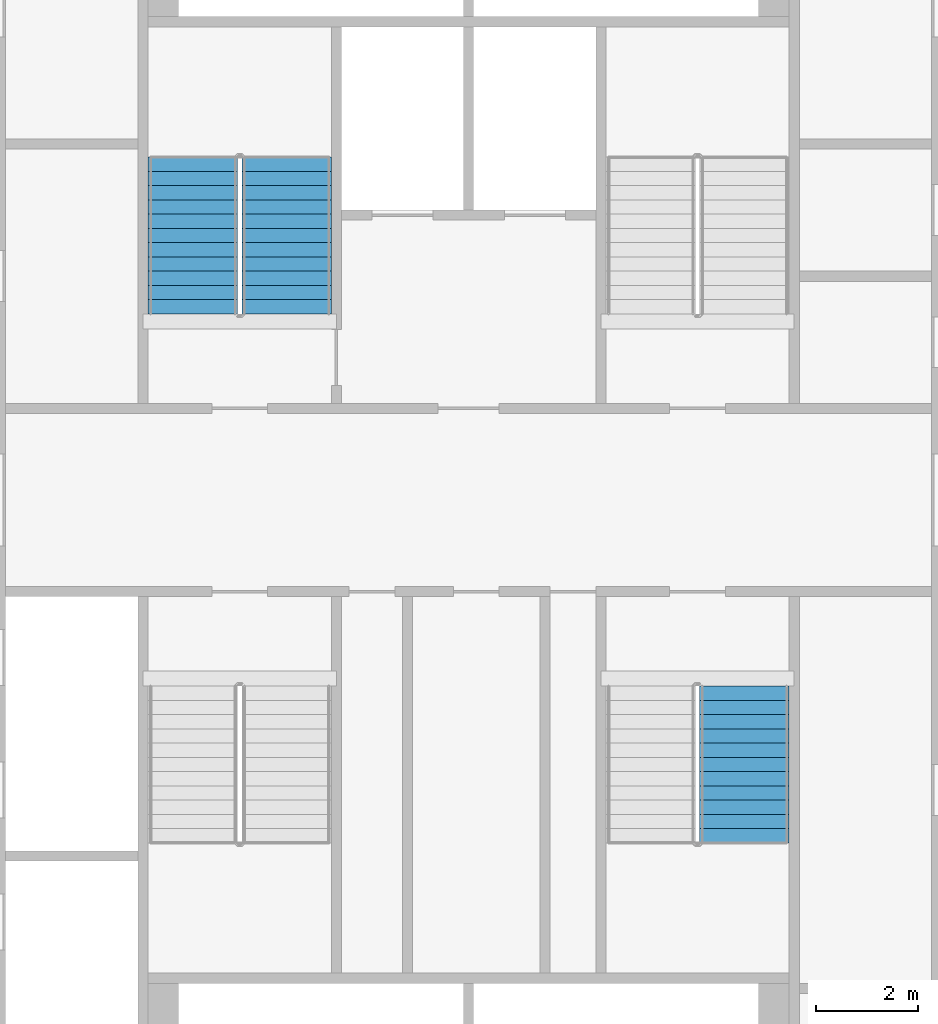
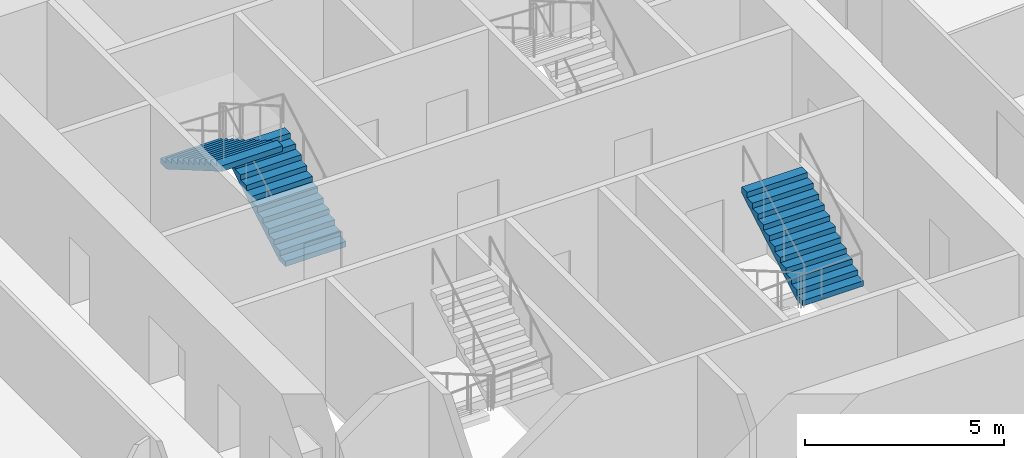
# One storey, part 16 of 22: 3 stair flights, 2 elements without a shape of their own.
"""IFC4 building model written with IfcOpenShell, lengths in metres."""

from ifc_helpers import new_model, si_unit, direction, frame, origin, place, context, subcontext, project, spatial, faceted_brep, material, type_object, element, aggregate, save


model = new_model("IFC4")

# Units and contexts
model_context = context("Model", 3, precision=1e-05, world=origin(), true_north=direction((0.0, 1.0)))
body_context = subcontext(model_context, "Body", "Model", "MODEL_VIEW")
ifc_project = project(units=[si_unit("LENGTHUNIT", "METRE"), si_unit("AREAUNIT", "SQUARE_METRE"), si_unit("VOLUMEUNIT", "CUBIC_METRE"), si_unit("PLANEANGLEUNIT", "RADIAN"), si_unit("MASSUNIT", "GRAM", prefix="KILO")], contexts=[model_context])

# Site, building, storey
site_placement = place(None, origin())
site = spatial("IfcSite", under=ifc_project, at=site_placement, CompositionType="ELEMENT")
building_placement = place(site_placement, origin())
building = spatial("IfcBuilding", under=site, at=building_placement, Name="Tarsis Ring Headquarters", CompositionType="ELEMENT")
storey_placement = place(building_placement, frame((0.0, 0.0, 55.60009765625)))
storey = spatial("IfcBuildingStorey", under=building, at=storey_placement, Name="L11", CompositionType="ELEMENT", Elevation=55.60009765625)

# Stair, stair flights
ifc_material_1 = material(Name="Core stair 1760")
stair_type = type_object("IfcStairType", Name="Core stair 1760", PredefinedType="HALF_TURN_STAIR", material=ifc_material_1)
stair_1_placement = place(storey_placement, origin())
stair_1 = element("IfcStair", 1, at=stair_1_placement, inside=storey, type_object=stair_type, Name="L11 Firefighting stair", PredefinedType="HALF_TURN_STAIR")
ifc_material_2 = material(Name="Concrete C40/50", Category="concrete")
stair_flight_type = type_object("IfcStairFlightType", Name="Core stair flight 1760", PredefinedType="STRAIGHT", material=ifc_material_2)
stair_flight_1_placement = place(storey_placement, frame((-3.580078125, 3.659912109375, 0.0), z_axis=(0.0, 0.0, 1.0), x_axis=(0.0, 1.0, 0.0)))
stair_flight_1 = element("IfcStairFlight", 2, at=stair_flight_1_placement, type_object=stair_flight_type, Name="Stair ST1 flight 1", NumberOfRisers=12, NumberOfTreads=11, PredefinedType="STRAIGHT", RiserHeight=0.1625, TreadLength=0.28, context=body_context, shape_type="Brep", body=[
    faceted_brep([(0.0, 0.8798828125, 0.0), (0.0, 0.8798828125, 0.16259765625), (0.280029296875, 0.8798828125, 0.16259765625), (0.280029296875, 0.8798828125, 0.324951171875), (0.56005859375, 0.8798828125, 0.324951171875), (0.56005859375, 0.8798828125, 0.487548828125), (0.840087890625, 0.8798828125, 0.487548828125), (0.840087890625, 0.8798828125, 0.64990234375), (1.1201171875, 0.8798828125, 0.64990234375), (1.1201171875, 0.8798828125, 0.8125), (1.39990234375, 0.8798828125, 0.8125), (1.39990234375, 0.8798828125, 0.97509765625), (1.679931640625, 0.8798828125, 0.97509765625), (1.679931640625, 0.8798828125, 1.137451171875), (1.9599609375, 0.8798828125, 1.137451171875), (1.9599609375, 0.8798828125, 1.300048828125), (2.239990234375, 0.8798828125, 1.300048828125), (2.239990234375, 0.8798828125, 1.46240234375), (2.52001953125, 0.8798828125, 1.46240234375), (2.52001953125, 0.8798828125, 1.625), (2.800048828125, 0.8798828125, 1.625), (2.800048828125, 0.8798828125, 1.78759765625), (3.080078125, 0.8798828125, 1.78759765625), (3.080078125, 0.8798828125, 1.6142578125), (0.298583984375, 0.8798828125, 0.0), (0.298583984375, -0.8798828125, 0.0), (3.080078125, -0.8798828125, 1.6142578125), (3.080078125, -0.8798828125, 1.78759765625), (2.800048828125, -0.8798828125, 1.78759765625), (2.800048828125, -0.8798828125, 1.625), (2.52001953125, -0.8798828125, 1.625), (2.52001953125, -0.8798828125, 1.46240234375), (2.239990234375, -0.8798828125, 1.46240234375), (2.239990234375, -0.8798828125, 1.300048828125), (1.9599609375, -0.8798828125, 1.300048828125), (1.9599609375, -0.8798828125, 1.137451171875), (1.679931640625, -0.8798828125, 1.137451171875), (1.679931640625, -0.8798828125, 0.97509765625), (1.39990234375, -0.8798828125, 0.97509765625), (1.39990234375, -0.8798828125, 0.8125), (1.1201171875, -0.8798828125, 0.8125), (1.1201171875, -0.8798828125, 0.64990234375), (0.840087890625, -0.8798828125, 0.64990234375), (0.840087890625, -0.8798828125, 0.487548828125), (0.56005859375, -0.8798828125, 0.487548828125), (0.56005859375, -0.8798828125, 0.324951171875), (0.280029296875, -0.8798828125, 0.324951171875), (0.280029296875, -0.8798828125, 0.16259765625), (0.0, -0.8798828125, 0.16259765625), (0.0, -0.8798828125, 0.0), (0.0, -0.43994140625, 0.16259765625), (0.0, -0.43994140625, 0.0), (0.0, 0.0, 0.16259765625), (0.0, 0.0, 0.0), (0.0, 0.43994140625, 0.16259765625), (0.0, 0.43994140625, 0.0), (0.280029296875, -0.43994140625, 0.16259765625), (0.280029296875, 0.0, 0.16259765625), (0.280029296875, 0.43994140625, 0.16259765625), (0.280029296875, -0.43994140625, 0.324951171875), (0.280029296875, 0.0, 0.324951171875), (0.280029296875, 0.43994140625, 0.324951171875), (0.56005859375, -0.43994140625, 0.324951171875), (0.56005859375, 0.0, 0.324951171875), (0.56005859375, 0.43994140625, 0.324951171875), (0.56005859375, -0.43994140625, 0.487548828125), (0.56005859375, 0.0, 0.487548828125), (0.56005859375, 0.43994140625, 0.487548828125), (0.840087890625, -0.43994140625, 0.487548828125), (0.840087890625, 0.0, 0.487548828125), (0.840087890625, 0.43994140625, 0.487548828125), (0.840087890625, -0.43994140625, 0.64990234375), (0.840087890625, 0.0, 0.64990234375), (0.840087890625, 0.43994140625, 0.64990234375), (1.1201171875, -0.43994140625, 0.64990234375), (1.1201171875, 0.0, 0.64990234375), (1.1201171875, 0.43994140625, 0.64990234375), (1.1201171875, -0.43994140625, 0.8125), (1.1201171875, 0.0, 0.8125), (1.1201171875, 0.43994140625, 0.8125), (1.39990234375, -0.43994140625, 0.8125), (1.39990234375, 0.0, 0.8125), (1.39990234375, 0.43994140625, 0.8125), (1.39990234375, -0.43994140625, 0.97509765625), (1.39990234375, 0.0, 0.97509765625), (1.39990234375, 0.43994140625, 0.97509765625), (1.679931640625, -0.43994140625, 0.97509765625), (1.679931640625, 0.0, 0.97509765625), (1.679931640625, 0.43994140625, 0.97509765625), (1.679931640625, -0.43994140625, 1.137451171875), (1.679931640625, 0.0, 1.137451171875), (1.679931640625, 0.43994140625, 1.137451171875), (1.9599609375, -0.43994140625, 1.137451171875), (1.9599609375, 0.0, 1.137451171875), (1.9599609375, 0.43994140625, 1.137451171875), (1.9599609375, -0.43994140625, 1.300048828125), (1.9599609375, 0.0, 1.300048828125), (1.9599609375, 0.43994140625, 1.300048828125), (2.239990234375, -0.43994140625, 1.300048828125), (2.239990234375, 0.0, 1.300048828125), (2.239990234375, 0.43994140625, 1.300048828125), (2.239990234375, -0.43994140625, 1.46240234375), (2.239990234375, 0.0, 1.46240234375), (2.239990234375, 0.43994140625, 1.46240234375), (2.52001953125, -0.43994140625, 1.46240234375), (2.52001953125, 0.0, 1.46240234375), (2.52001953125, 0.43994140625, 1.46240234375), (2.52001953125, -0.43994140625, 1.625), (2.52001953125, 0.0, 1.625), (2.52001953125, 0.43994140625, 1.625), (2.800048828125, -0.43994140625, 1.625), (2.800048828125, 0.0, 1.625), (2.800048828125, 0.43994140625, 1.625), (2.800048828125, -0.43994140625, 1.78759765625), (2.800048828125, 0.0, 1.78759765625), (2.800048828125, 0.43994140625, 1.78759765625), (3.080078125, -0.43994140625, 1.78759765625), (3.080078125, 0.0, 1.78759765625), (3.080078125, 0.43994140625, 1.78759765625), (3.080078125, -0.43994140625, 1.6142578125), (3.080078125, 0.0, 1.6142578125), (3.080078125, 0.43994140625, 1.6142578125), (0.298583984375, -0.43994140625, 0.0), (0.298583984375, 0.0, 0.0), (0.298583984375, 0.43994140625, 0.0)], [[[0, 1, 2, 3, 4, 5, 6, 7, 8, 9, 10, 11, 12, 13, 14, 15, 16, 17, 18, 19, 20, 21, 22, 23, 24]], [[25, 26, 27, 28, 29, 30, 31, 32, 33, 34, 35, 36, 37, 38, 39, 40, 41, 42, 43, 44, 45, 46, 47, 48, 49]], [[49, 48, 50, 51]], [[51, 50, 52, 53]], [[53, 52, 54, 55]], [[55, 54, 1, 0]], [[48, 47, 56, 50]], [[50, 56, 57, 52]], [[52, 57, 58, 54]], [[54, 58, 2, 1]], [[47, 46, 59, 56]], [[56, 59, 60, 57]], [[57, 60, 61, 58]], [[58, 61, 3, 2]], [[46, 45, 62, 59]], [[59, 62, 63, 60]], [[60, 63, 64, 61]], [[61, 64, 4, 3]], [[45, 44, 65, 62]], [[62, 65, 66, 63]], [[63, 66, 67, 64]], [[64, 67, 5, 4]], [[44, 43, 68, 65]], [[65, 68, 69, 66]], [[66, 69, 70, 67]], [[67, 70, 6, 5]], [[43, 42, 71, 68]], [[68, 71, 72, 69]], [[69, 72, 73, 70]], [[70, 73, 7, 6]], [[42, 41, 74, 71]], [[71, 74, 75, 72]], [[72, 75, 76, 73]], [[73, 76, 8, 7]], [[41, 40, 77, 74]], [[74, 77, 78, 75]], [[75, 78, 79, 76]], [[76, 79, 9, 8]], [[40, 39, 80, 77]], [[77, 80, 81, 78]], [[78, 81, 82, 79]], [[79, 82, 10, 9]], [[39, 38, 83, 80]], [[80, 83, 84, 81]], [[81, 84, 85, 82]], [[82, 85, 11, 10]], [[38, 37, 86, 83]], [[83, 86, 87, 84]], [[84, 87, 88, 85]], [[85, 88, 12, 11]], [[37, 36, 89, 86]], [[86, 89, 90, 87]], [[87, 90, 91, 88]], [[88, 91, 13, 12]], [[36, 35, 92, 89]], [[89, 92, 93, 90]], [[90, 93, 94, 91]], [[91, 94, 14, 13]], [[35, 34, 95, 92]], [[92, 95, 96, 93]], [[93, 96, 97, 94]], [[94, 97, 15, 14]], [[34, 33, 98, 95]], [[95, 98, 99, 96]], [[96, 99, 100, 97]], [[97, 100, 16, 15]], [[33, 32, 101, 98]], [[98, 101, 102, 99]], [[99, 102, 103, 100]], [[100, 103, 17, 16]], [[32, 31, 104, 101]], [[101, 104, 105, 102]], [[102, 105, 106, 103]], [[103, 106, 18, 17]], [[31, 30, 107, 104]], [[104, 107, 108, 105]], [[105, 108, 109, 106]], [[106, 109, 19, 18]], [[30, 29, 110, 107]], [[107, 110, 111, 108]], [[108, 111, 112, 109]], [[109, 112, 20, 19]], [[29, 28, 113, 110]], [[110, 113, 114, 111]], [[111, 114, 115, 112]], [[112, 115, 21, 20]], [[28, 27, 116, 113]], [[113, 116, 117, 114]], [[114, 117, 118, 115]], [[115, 118, 22, 21]], [[27, 26, 119, 116]], [[116, 119, 120, 117]], [[117, 120, 121, 118]], [[118, 121, 23, 22]], [[26, 25, 122, 119]], [[119, 122, 123, 120]], [[120, 123, 124, 121]], [[121, 124, 24, 23]], [[25, 49, 51, 122]], [[122, 51, 53, 123]], [[123, 53, 55, 124]], [[124, 55, 0, 24]]]),
])
stair_flight_2_placement = place(storey_placement, frame((-5.419921875, 6.739990234375, 1.949951171875), z_axis=(0.0, 0.0, 1.0), x_axis=(0.0, -1.0, 0.0)))
stair_flight_2 = element("IfcStairFlight", 3, at=stair_flight_2_placement, type_object=stair_flight_type, Name="Stair ST1 flight 2", NumberOfRisers=12, NumberOfTreads=11, PredefinedType="STRAIGHT", RiserHeight=0.1625, TreadLength=0.28, context=body_context, shape_type="Brep", body=[
    faceted_brep([(0.0, 0.8798828125, 0.0), (0.0, 0.8798828125, 0.16259765625), (0.280029296875, 0.8798828125, 0.16259765625), (0.280029296875, 0.8798828125, 0.324951171875), (0.56005859375, 0.8798828125, 0.324951171875), (0.56005859375, 0.8798828125, 0.487548828125), (0.840087890625, 0.8798828125, 0.487548828125), (0.840087890625, 0.8798828125, 0.64990234375), (1.1201171875, 0.8798828125, 0.64990234375), (1.1201171875, 0.8798828125, 0.8125), (1.39990234375, 0.8798828125, 0.8125), (1.39990234375, 0.8798828125, 0.97509765625), (1.679931640625, 0.8798828125, 0.97509765625), (1.679931640625, 0.8798828125, 1.137451171875), (1.9599609375, 0.8798828125, 1.137451171875), (1.9599609375, 0.8798828125, 1.300048828125), (2.239990234375, 0.8798828125, 1.300048828125), (2.239990234375, 0.8798828125, 1.46240234375), (2.52001953125, 0.8798828125, 1.46240234375), (2.52001953125, 0.8798828125, 1.625), (2.800048828125, 0.8798828125, 1.625), (2.800048828125, 0.8798828125, 1.78759765625), (3.080078125, 0.8798828125, 1.78759765625), (3.080078125, 0.8798828125, 1.6142578125), (0.298583984375, 0.8798828125, 0.0), (0.298583984375, -0.8798828125, 0.0), (3.080078125, -0.8798828125, 1.6142578125), (3.080078125, -0.8798828125, 1.78759765625), (2.800048828125, -0.8798828125, 1.78759765625), (2.800048828125, -0.8798828125, 1.625), (2.52001953125, -0.8798828125, 1.625), (2.52001953125, -0.8798828125, 1.46240234375), (2.239990234375, -0.8798828125, 1.46240234375), (2.239990234375, -0.8798828125, 1.300048828125), (1.9599609375, -0.8798828125, 1.300048828125), (1.9599609375, -0.8798828125, 1.137451171875), (1.679931640625, -0.8798828125, 1.137451171875), (1.679931640625, -0.8798828125, 0.97509765625), (1.39990234375, -0.8798828125, 0.97509765625), (1.39990234375, -0.8798828125, 0.8125), (1.1201171875, -0.8798828125, 0.8125), (1.1201171875, -0.8798828125, 0.64990234375), (0.840087890625, -0.8798828125, 0.64990234375), (0.840087890625, -0.8798828125, 0.487548828125), (0.56005859375, -0.8798828125, 0.487548828125), (0.56005859375, -0.8798828125, 0.324951171875), (0.280029296875, -0.8798828125, 0.324951171875), (0.280029296875, -0.8798828125, 0.16259765625), (0.0, -0.8798828125, 0.16259765625), (0.0, -0.8798828125, 0.0), (0.0, -0.43994140625, 0.16259765625), (0.0, -0.43994140625, 0.0), (0.0, 0.0, 0.16259765625), (0.0, 0.0, 0.0), (0.0, 0.43994140625, 0.16259765625), (0.0, 0.43994140625, 0.0), (0.280029296875, -0.43994140625, 0.16259765625), (0.280029296875, 0.0, 0.16259765625), (0.280029296875, 0.43994140625, 0.16259765625), (0.280029296875, -0.43994140625, 0.324951171875), (0.280029296875, 0.0, 0.324951171875), (0.280029296875, 0.43994140625, 0.324951171875), (0.56005859375, -0.43994140625, 0.324951171875), (0.56005859375, 0.0, 0.324951171875), (0.56005859375, 0.43994140625, 0.324951171875), (0.56005859375, -0.43994140625, 0.487548828125), (0.56005859375, 0.0, 0.487548828125), (0.56005859375, 0.43994140625, 0.487548828125), (0.840087890625, -0.43994140625, 0.487548828125), (0.840087890625, 0.0, 0.487548828125), (0.840087890625, 0.43994140625, 0.487548828125), (0.840087890625, -0.43994140625, 0.64990234375), (0.840087890625, 0.0, 0.64990234375), (0.840087890625, 0.43994140625, 0.64990234375), (1.1201171875, -0.43994140625, 0.64990234375), (1.1201171875, 0.0, 0.64990234375), (1.1201171875, 0.43994140625, 0.64990234375), (1.1201171875, -0.43994140625, 0.8125), (1.1201171875, 0.0, 0.8125), (1.1201171875, 0.43994140625, 0.8125), (1.39990234375, -0.43994140625, 0.8125), (1.39990234375, 0.0, 0.8125), (1.39990234375, 0.43994140625, 0.8125), (1.39990234375, -0.43994140625, 0.97509765625), (1.39990234375, 0.0, 0.97509765625), (1.39990234375, 0.43994140625, 0.97509765625), (1.679931640625, -0.43994140625, 0.97509765625), (1.679931640625, 0.0, 0.97509765625), (1.679931640625, 0.43994140625, 0.97509765625), (1.679931640625, -0.43994140625, 1.137451171875), (1.679931640625, 0.0, 1.137451171875), (1.679931640625, 0.43994140625, 1.137451171875), (1.9599609375, -0.43994140625, 1.137451171875), (1.9599609375, 0.0, 1.137451171875), (1.9599609375, 0.43994140625, 1.137451171875), (1.9599609375, -0.43994140625, 1.300048828125), (1.9599609375, 0.0, 1.300048828125), (1.9599609375, 0.43994140625, 1.300048828125), (2.239990234375, -0.43994140625, 1.300048828125), (2.239990234375, 0.0, 1.300048828125), (2.239990234375, 0.43994140625, 1.300048828125), (2.239990234375, -0.43994140625, 1.46240234375), (2.239990234375, 0.0, 1.46240234375), (2.239990234375, 0.43994140625, 1.46240234375), (2.52001953125, -0.43994140625, 1.46240234375), (2.52001953125, 0.0, 1.46240234375), (2.52001953125, 0.43994140625, 1.46240234375), (2.52001953125, -0.43994140625, 1.625), (2.52001953125, 0.0, 1.625), (2.52001953125, 0.43994140625, 1.625), (2.800048828125, -0.43994140625, 1.625), (2.800048828125, 0.0, 1.625), (2.800048828125, 0.43994140625, 1.625), (2.800048828125, -0.43994140625, 1.78759765625), (2.800048828125, 0.0, 1.78759765625), (2.800048828125, 0.43994140625, 1.78759765625), (3.080078125, -0.43994140625, 1.78759765625), (3.080078125, 0.0, 1.78759765625), (3.080078125, 0.43994140625, 1.78759765625), (3.080078125, -0.43994140625, 1.6142578125), (3.080078125, 0.0, 1.6142578125), (3.080078125, 0.43994140625, 1.6142578125), (0.298583984375, -0.43994140625, 0.0), (0.298583984375, 0.0, 0.0), (0.298583984375, 0.43994140625, 0.0)], [[[0, 1, 2, 3, 4, 5, 6, 7, 8, 9, 10, 11, 12, 13, 14, 15, 16, 17, 18, 19, 20, 21, 22, 23, 24]], [[25, 26, 27, 28, 29, 30, 31, 32, 33, 34, 35, 36, 37, 38, 39, 40, 41, 42, 43, 44, 45, 46, 47, 48, 49]], [[49, 48, 50, 51]], [[51, 50, 52, 53]], [[53, 52, 54, 55]], [[55, 54, 1, 0]], [[48, 47, 56, 50]], [[50, 56, 57, 52]], [[52, 57, 58, 54]], [[54, 58, 2, 1]], [[47, 46, 59, 56]], [[56, 59, 60, 57]], [[57, 60, 61, 58]], [[58, 61, 3, 2]], [[46, 45, 62, 59]], [[59, 62, 63, 60]], [[60, 63, 64, 61]], [[61, 64, 4, 3]], [[45, 44, 65, 62]], [[62, 65, 66, 63]], [[63, 66, 67, 64]], [[64, 67, 5, 4]], [[44, 43, 68, 65]], [[65, 68, 69, 66]], [[66, 69, 70, 67]], [[67, 70, 6, 5]], [[43, 42, 71, 68]], [[68, 71, 72, 69]], [[69, 72, 73, 70]], [[70, 73, 7, 6]], [[42, 41, 74, 71]], [[71, 74, 75, 72]], [[72, 75, 76, 73]], [[73, 76, 8, 7]], [[41, 40, 77, 74]], [[74, 77, 78, 75]], [[75, 78, 79, 76]], [[76, 79, 9, 8]], [[40, 39, 80, 77]], [[77, 80, 81, 78]], [[78, 81, 82, 79]], [[79, 82, 10, 9]], [[39, 38, 83, 80]], [[80, 83, 84, 81]], [[81, 84, 85, 82]], [[82, 85, 11, 10]], [[38, 37, 86, 83]], [[83, 86, 87, 84]], [[84, 87, 88, 85]], [[85, 88, 12, 11]], [[37, 36, 89, 86]], [[86, 89, 90, 87]], [[87, 90, 91, 88]], [[88, 91, 13, 12]], [[36, 35, 92, 89]], [[89, 92, 93, 90]], [[90, 93, 94, 91]], [[91, 94, 14, 13]], [[35, 34, 95, 92]], [[92, 95, 96, 93]], [[93, 96, 97, 94]], [[94, 97, 15, 14]], [[34, 33, 98, 95]], [[95, 98, 99, 96]], [[96, 99, 100, 97]], [[97, 100, 16, 15]], [[33, 32, 101, 98]], [[98, 101, 102, 99]], [[99, 102, 103, 100]], [[100, 103, 17, 16]], [[32, 31, 104, 101]], [[101, 104, 105, 102]], [[102, 105, 106, 103]], [[103, 106, 18, 17]], [[31, 30, 107, 104]], [[104, 107, 108, 105]], [[105, 108, 109, 106]], [[106, 109, 19, 18]], [[30, 29, 110, 107]], [[107, 110, 111, 108]], [[108, 111, 112, 109]], [[109, 112, 20, 19]], [[29, 28, 113, 110]], [[110, 113, 114, 111]], [[111, 114, 115, 112]], [[112, 115, 21, 20]], [[28, 27, 116, 113]], [[113, 116, 117, 114]], [[114, 117, 118, 115]], [[115, 118, 22, 21]], [[27, 26, 119, 116]], [[116, 119, 120, 117]], [[117, 120, 121, 118]], [[118, 121, 23, 22]], [[26, 25, 122, 119]], [[119, 122, 123, 120]], [[120, 123, 124, 121]], [[121, 124, 24, 23]], [[25, 49, 51, 122]], [[122, 51, 53, 123]], [[123, 53, 55, 124]], [[124, 55, 0, 24]]]),
])
aggregate(stair_1, [stair_flight_1, stair_flight_2])

# Stair, stair flight
stair_2_placement = place(storey_placement, origin())
stair_2 = element("IfcStair", 4, at=stair_2_placement, inside=storey, type_object=stair_type, Name="L11 Exit stair D", PredefinedType="HALF_TURN_STAIR")
stair_flight_3_placement = place(storey_placement, frame((5.419921875, -6.739990234375, 1.949951171875), z_axis=(0.0, 0.0, 1.0), x_axis=(0.0, 1.0, 0.0)))
stair_flight_3 = element("IfcStairFlight", 5, at=stair_flight_3_placement, type_object=stair_flight_type, Name="Stair ST4 flight 2", NumberOfRisers=12, NumberOfTreads=11, PredefinedType="STRAIGHT", RiserHeight=0.1625, TreadLength=0.28, context=body_context, shape_type="Brep", body=[
    faceted_brep([(0.0, 0.8798828125, 0.0), (0.0, 0.8798828125, 0.16259765625), (0.280029296875, 0.8798828125, 0.16259765625), (0.280029296875, 0.8798828125, 0.324951171875), (0.56005859375, 0.8798828125, 0.324951171875), (0.56005859375, 0.8798828125, 0.487548828125), (0.840087890625, 0.8798828125, 0.487548828125), (0.840087890625, 0.8798828125, 0.64990234375), (1.1201171875, 0.8798828125, 0.64990234375), (1.1201171875, 0.8798828125, 0.8125), (1.39990234375, 0.8798828125, 0.8125), (1.39990234375, 0.8798828125, 0.97509765625), (1.679931640625, 0.8798828125, 0.97509765625), (1.679931640625, 0.8798828125, 1.137451171875), (1.9599609375, 0.8798828125, 1.137451171875), (1.9599609375, 0.8798828125, 1.300048828125), (2.239990234375, 0.8798828125, 1.300048828125), (2.239990234375, 0.8798828125, 1.46240234375), (2.52001953125, 0.8798828125, 1.46240234375), (2.52001953125, 0.8798828125, 1.625), (2.800048828125, 0.8798828125, 1.625), (2.800048828125, 0.8798828125, 1.78759765625), (3.080078125, 0.8798828125, 1.78759765625), (3.080078125, 0.8798828125, 1.6142578125), (0.298583984375, 0.8798828125, 0.0), (0.298583984375, -0.8798828125, 0.0), (3.080078125, -0.8798828125, 1.6142578125), (3.080078125, -0.8798828125, 1.78759765625), (2.800048828125, -0.8798828125, 1.78759765625), (2.800048828125, -0.8798828125, 1.625), (2.52001953125, -0.8798828125, 1.625), (2.52001953125, -0.8798828125, 1.46240234375), (2.239990234375, -0.8798828125, 1.46240234375), (2.239990234375, -0.8798828125, 1.300048828125), (1.9599609375, -0.8798828125, 1.300048828125), (1.9599609375, -0.8798828125, 1.137451171875), (1.679931640625, -0.8798828125, 1.137451171875), (1.679931640625, -0.8798828125, 0.97509765625), (1.39990234375, -0.8798828125, 0.97509765625), (1.39990234375, -0.8798828125, 0.8125), (1.1201171875, -0.8798828125, 0.8125), (1.1201171875, -0.8798828125, 0.64990234375), (0.840087890625, -0.8798828125, 0.64990234375), (0.840087890625, -0.8798828125, 0.487548828125), (0.56005859375, -0.8798828125, 0.487548828125), (0.56005859375, -0.8798828125, 0.324951171875), (0.280029296875, -0.8798828125, 0.324951171875), (0.280029296875, -0.8798828125, 0.16259765625), (0.0, -0.8798828125, 0.16259765625), (0.0, -0.8798828125, 0.0), (0.0, -0.43994140625, 0.16259765625), (0.0, -0.43994140625, 0.0), (0.0, 0.0, 0.16259765625), (0.0, 0.0, 0.0), (0.0, 0.43994140625, 0.16259765625), (0.0, 0.43994140625, 0.0), (0.280029296875, -0.43994140625, 0.16259765625), (0.280029296875, 0.0, 0.16259765625), (0.280029296875, 0.43994140625, 0.16259765625), (0.280029296875, -0.43994140625, 0.324951171875), (0.280029296875, 0.0, 0.324951171875), (0.280029296875, 0.43994140625, 0.324951171875), (0.56005859375, -0.43994140625, 0.324951171875), (0.56005859375, 0.0, 0.324951171875), (0.56005859375, 0.43994140625, 0.324951171875), (0.56005859375, -0.43994140625, 0.487548828125), (0.56005859375, 0.0, 0.487548828125), (0.56005859375, 0.43994140625, 0.487548828125), (0.840087890625, -0.43994140625, 0.487548828125), (0.840087890625, 0.0, 0.487548828125), (0.840087890625, 0.43994140625, 0.487548828125), (0.840087890625, -0.43994140625, 0.64990234375), (0.840087890625, 0.0, 0.64990234375), (0.840087890625, 0.43994140625, 0.64990234375), (1.1201171875, -0.43994140625, 0.64990234375), (1.1201171875, 0.0, 0.64990234375), (1.1201171875, 0.43994140625, 0.64990234375), (1.1201171875, -0.43994140625, 0.8125), (1.1201171875, 0.0, 0.8125), (1.1201171875, 0.43994140625, 0.8125), (1.39990234375, -0.43994140625, 0.8125), (1.39990234375, 0.0, 0.8125), (1.39990234375, 0.43994140625, 0.8125), (1.39990234375, -0.43994140625, 0.97509765625), (1.39990234375, 0.0, 0.97509765625), (1.39990234375, 0.43994140625, 0.97509765625), (1.679931640625, -0.43994140625, 0.97509765625), (1.679931640625, 0.0, 0.97509765625), (1.679931640625, 0.43994140625, 0.97509765625), (1.679931640625, -0.43994140625, 1.137451171875), (1.679931640625, 0.0, 1.137451171875), (1.679931640625, 0.43994140625, 1.137451171875), (1.9599609375, -0.43994140625, 1.137451171875), (1.9599609375, 0.0, 1.137451171875), (1.9599609375, 0.43994140625, 1.137451171875), (1.9599609375, -0.43994140625, 1.300048828125), (1.9599609375, 0.0, 1.300048828125), (1.9599609375, 0.43994140625, 1.300048828125), (2.239990234375, -0.43994140625, 1.300048828125), (2.239990234375, 0.0, 1.300048828125), (2.239990234375, 0.43994140625, 1.300048828125), (2.239990234375, -0.43994140625, 1.46240234375), (2.239990234375, 0.0, 1.46240234375), (2.239990234375, 0.43994140625, 1.46240234375), (2.52001953125, -0.43994140625, 1.46240234375), (2.52001953125, 0.0, 1.46240234375), (2.52001953125, 0.43994140625, 1.46240234375), (2.52001953125, -0.43994140625, 1.625), (2.52001953125, 0.0, 1.625), (2.52001953125, 0.43994140625, 1.625), (2.800048828125, -0.43994140625, 1.625), (2.800048828125, 0.0, 1.625), (2.800048828125, 0.43994140625, 1.625), (2.800048828125, -0.43994140625, 1.78759765625), (2.800048828125, 0.0, 1.78759765625), (2.800048828125, 0.43994140625, 1.78759765625), (3.080078125, -0.43994140625, 1.78759765625), (3.080078125, 0.0, 1.78759765625), (3.080078125, 0.43994140625, 1.78759765625), (3.080078125, -0.43994140625, 1.6142578125), (3.080078125, 0.0, 1.6142578125), (3.080078125, 0.43994140625, 1.6142578125), (0.298583984375, -0.43994140625, 0.0), (0.298583984375, 0.0, 0.0), (0.298583984375, 0.43994140625, 0.0)], [[[0, 1, 2, 3, 4, 5, 6, 7, 8, 9, 10, 11, 12, 13, 14, 15, 16, 17, 18, 19, 20, 21, 22, 23, 24]], [[25, 26, 27, 28, 29, 30, 31, 32, 33, 34, 35, 36, 37, 38, 39, 40, 41, 42, 43, 44, 45, 46, 47, 48, 49]], [[49, 48, 50, 51]], [[51, 50, 52, 53]], [[53, 52, 54, 55]], [[55, 54, 1, 0]], [[48, 47, 56, 50]], [[50, 56, 57, 52]], [[52, 57, 58, 54]], [[54, 58, 2, 1]], [[47, 46, 59, 56]], [[56, 59, 60, 57]], [[57, 60, 61, 58]], [[58, 61, 3, 2]], [[46, 45, 62, 59]], [[59, 62, 63, 60]], [[60, 63, 64, 61]], [[61, 64, 4, 3]], [[45, 44, 65, 62]], [[62, 65, 66, 63]], [[63, 66, 67, 64]], [[64, 67, 5, 4]], [[44, 43, 68, 65]], [[65, 68, 69, 66]], [[66, 69, 70, 67]], [[67, 70, 6, 5]], [[43, 42, 71, 68]], [[68, 71, 72, 69]], [[69, 72, 73, 70]], [[70, 73, 7, 6]], [[42, 41, 74, 71]], [[71, 74, 75, 72]], [[72, 75, 76, 73]], [[73, 76, 8, 7]], [[41, 40, 77, 74]], [[74, 77, 78, 75]], [[75, 78, 79, 76]], [[76, 79, 9, 8]], [[40, 39, 80, 77]], [[77, 80, 81, 78]], [[78, 81, 82, 79]], [[79, 82, 10, 9]], [[39, 38, 83, 80]], [[80, 83, 84, 81]], [[81, 84, 85, 82]], [[82, 85, 11, 10]], [[38, 37, 86, 83]], [[83, 86, 87, 84]], [[84, 87, 88, 85]], [[85, 88, 12, 11]], [[37, 36, 89, 86]], [[86, 89, 90, 87]], [[87, 90, 91, 88]], [[88, 91, 13, 12]], [[36, 35, 92, 89]], [[89, 92, 93, 90]], [[90, 93, 94, 91]], [[91, 94, 14, 13]], [[35, 34, 95, 92]], [[92, 95, 96, 93]], [[93, 96, 97, 94]], [[94, 97, 15, 14]], [[34, 33, 98, 95]], [[95, 98, 99, 96]], [[96, 99, 100, 97]], [[97, 100, 16, 15]], [[33, 32, 101, 98]], [[98, 101, 102, 99]], [[99, 102, 103, 100]], [[100, 103, 17, 16]], [[32, 31, 104, 101]], [[101, 104, 105, 102]], [[102, 105, 106, 103]], [[103, 106, 18, 17]], [[31, 30, 107, 104]], [[104, 107, 108, 105]], [[105, 108, 109, 106]], [[106, 109, 19, 18]], [[30, 29, 110, 107]], [[107, 110, 111, 108]], [[108, 111, 112, 109]], [[109, 112, 20, 19]], [[29, 28, 113, 110]], [[110, 113, 114, 111]], [[111, 114, 115, 112]], [[112, 115, 21, 20]], [[28, 27, 116, 113]], [[113, 116, 117, 114]], [[114, 117, 118, 115]], [[115, 118, 22, 21]], [[27, 26, 119, 116]], [[116, 119, 120, 117]], [[117, 120, 121, 118]], [[118, 121, 23, 22]], [[26, 25, 122, 119]], [[119, 122, 123, 120]], [[120, 123, 124, 121]], [[121, 124, 24, 23]], [[25, 49, 51, 122]], [[122, 51, 53, 123]], [[123, 53, 55, 124]], [[124, 55, 0, 24]]]),
])
aggregate(stair_2, [stair_flight_3])

save(model, "model.ifc")
